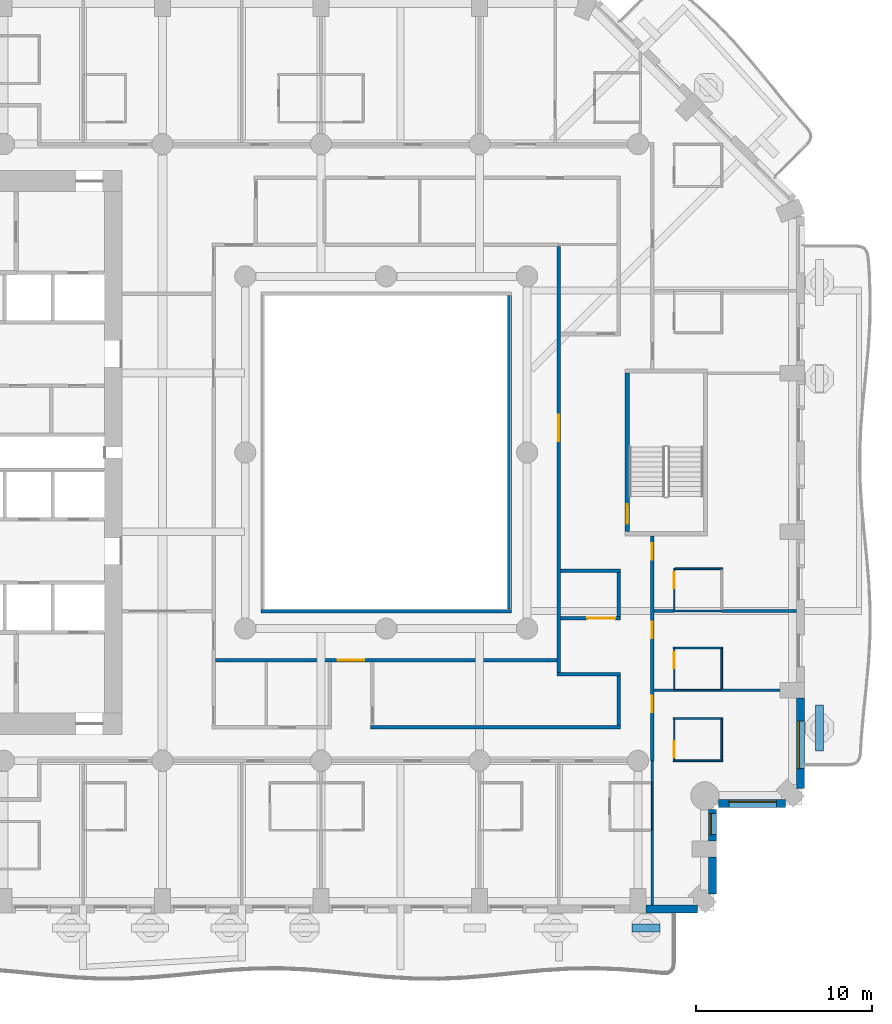
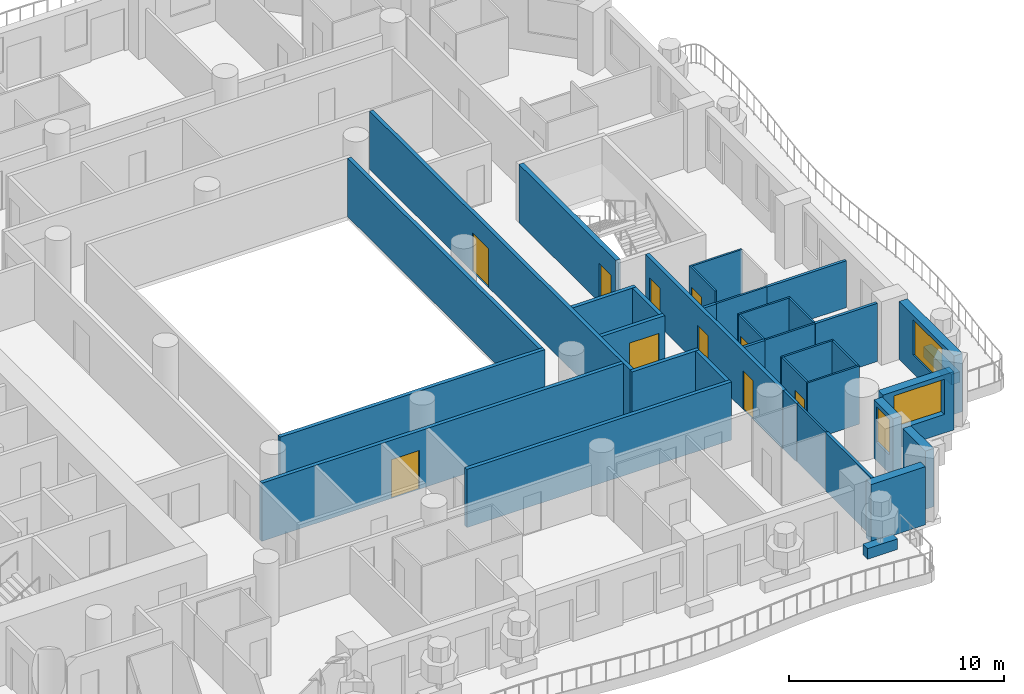
# One storey, part 6 of 20: 37 walls, 10 doors, 3 windows, 13 openings.
"""IFC4 building model written with IfcOpenShell, lengths in metres."""

import ifcopenshell
import ifcopenshell.guid

model = None  # the IFC model being written
_history = None  # IfcOwnerHistory: only IFC2X3 demands one
_inside = {}  # id of a spatial element -> (the spatial element, [elements in it])
_under = {}  # id of a project, library or spatial element -> (it, [spatial elements below it])
_declared = {}  # id of a project -> (the project, [libraries it declares])
_typed = {}  # id of a type object -> (the type object, [elements of that type])
_made_of = {}  # id of a material, layer set ... -> (it, [elements and type objects made of it])


def new_model(schema):
    """Start an empty IFC model of exactly this schema.

    Asked for "IFC4X3", IfcOpenShell would pick the latest addendum, in which some entities
    have other attributes; the version numbers below select the first issue.
    IFC2X3 requires an IfcOwnerHistory on every rooted entity: one is made here for all.
    """
    global model, _history
    if schema == "IFC4X3":
        model = ifcopenshell.file(schema_version=(4, 3, 0, 0))
    else:
        model = ifcopenshell.file(schema=schema)
    _inside.clear()
    _under.clear()
    _declared.clear()
    _typed.clear()
    _made_of.clear()
    _history = None
    if model.schema == "IFC2X3":
        org = make("IfcOrganization", Name="unknown")
        user = make(
            "IfcPersonAndOrganization",
            ThePerson=make("IfcPerson", FamilyName="unknown"),
            TheOrganization=org,
        )
        app = make(
            "IfcApplication",
            ApplicationDeveloper=org,
            Version="unknown",
            ApplicationFullName="unknown",
            ApplicationIdentifier="unknown",
        )
        _history = make(
            "IfcOwnerHistory",
            OwningUser=user,
            OwningApplication=app,
            ChangeAction="ADDED",
            CreationDate=0,
        )
    return model


def make(cls, **values):
    """One entity of the class cls with the attributes given. An attribute that is None is left unset."""
    return model.create_entity(
        cls, **{name: value for name, value in values.items() if value is not None}
    )


def rooted(cls, **values):
    """An entity with a GlobalId (a new one), such as an element, a storey or a relation."""
    return make(cls, GlobalId=ifcopenshell.guid.new(), OwnerHistory=_history, **values)


def si_unit(unit_type, name, prefix=None):
    """IfcSIUnit, for example si_unit("LENGTHUNIT", "METRE", prefix="MILLI")."""
    return make("IfcSIUnit", UnitType=unit_type, Prefix=prefix, Name=name)


def assignment(units):
    """IfcUnitAssignment: the units of a project."""
    return None if units is None else make("IfcUnitAssignment", Units=units)


def point(xyz):
    """IfcCartesianPoint."""
    return None if xyz is None else make("IfcCartesianPoint", Coordinates=xyz)


def direction(xyz):
    """IfcDirection."""
    return None if xyz is None else make("IfcDirection", DirectionRatios=xyz)


def frame(location, z_axis=None, x_axis=None):
    """IfcAxis2Placement3D, a coordinate frame: its origin and axes. An axis left out is left unset."""
    return make(
        "IfcAxis2Placement3D",
        Location=point(location),
        Axis=direction(z_axis),
        RefDirection=direction(x_axis),
    )


def frame_2d(location, x_axis=None):
    """IfcAxis2Placement2D, a coordinate frame in the plane: its origin and x axis."""
    return make(
        "IfcAxis2Placement2D", Location=point(location), RefDirection=direction(x_axis)
    )


def origin():
    """The frame at (0, 0, 0) with its axes left unset."""
    return frame((0.0, 0.0, 0.0))


def place(relative_to, where):
    """IfcLocalPlacement: puts the frame where relative to a parent placement (None: the world)."""
    return make(
        "IfcLocalPlacement", PlacementRelTo=relative_to, RelativePlacement=where
    )


def context(
    kind, dimensions, precision=None, world=None, true_north=None, identifier=None
):
    """IfcGeometricRepresentationContext, for example the 3D "Model" context."""
    return make(
        "IfcGeometricRepresentationContext",
        ContextIdentifier=identifier,
        ContextType=kind,
        CoordinateSpaceDimension=dimensions,
        Precision=precision,
        WorldCoordinateSystem=world,
        TrueNorth=true_north,
    )


def subcontext(parent, identifier, kind, view, scale=None):
    """IfcGeometricRepresentationSubContext, for example "Body" below "Model"."""
    return make(
        "IfcGeometricRepresentationSubContext",
        ContextIdentifier=identifier,
        ContextType=kind,
        ParentContext=parent,
        TargetScale=scale,
        TargetView=view,
    )


def project(units=None, contexts=None):
    """IfcProject with its units and contexts."""
    return rooted(
        "IfcProject",
        Name="project",
        RepresentationContexts=contexts,
        UnitsInContext=assignment(units),
    )


def spatial(cls, under=None, at=None, **own):
    """A site, building, storey or space (cls), placed at a placement, below another one or the project."""
    s = rooted(cls, ObjectPlacement=at, **own)
    if under is not None:
        _under.setdefault(under.id(), (under, []))[1].append(s)
    return s


def profile(cls, at=None, kind="AREA", **sizes):
    """A parametric profile (cls). Its sizes go by their IFC names, for example OverallWidth=200.0."""
    return make(cls, ProfileType=kind, Position=at, **sizes)


def rectangle(**sizes):
    """IfcRectangleProfileDef."""
    return profile("IfcRectangleProfileDef", **sizes)


def extrude(swept, where, along, depth):
    """IfcExtrudedAreaSolid: the profile swept, set in the frame where, extruded along a direction by depth."""
    return make(
        "IfcExtrudedAreaSolid",
        SweptArea=swept,
        Position=where,
        ExtrudedDirection=direction(along),
        Depth=depth,
    )


def shape(context_of_items, identifier, shape_type, items):
    """IfcShapeRepresentation: the items that make up one representation, for example the "Body"."""
    return make(
        "IfcShapeRepresentation",
        ContextOfItems=context_of_items,
        RepresentationIdentifier=identifier,
        RepresentationType=shape_type,
        Items=items,
    )


def material(Name=None, Category=None):
    """IfcMaterial."""
    return make("IfcMaterial", Name=Name, Category=Category)


def layer(
    of_material, thickness, ventilated=None, Name=None, Category=None, Priority=None
):
    """IfcMaterialLayer: one layer of a wall or slab, of a material (None: an air gap)."""
    return make(
        "IfcMaterialLayer",
        Material=of_material,
        LayerThickness=thickness,
        IsVentilated=ventilated,
        Name=Name,
        Category=Category,
        Priority=Priority,
    )


def layer_set(layers, Name=None):
    """IfcMaterialLayerSet."""
    return make("IfcMaterialLayerSet", MaterialLayers=layers, LayerSetName=Name)


def made_of(thing, what):
    """Note that an element or type object is made of a material, layer set ...; save() writes the relation."""
    if what is not None:
        _made_of.setdefault(what.id(), (what, []))[1].append(thing)
    return thing


def type_object(cls, material=None, **own):
    """A type object (cls), such as IfcWallType, which elements share."""
    return made_of(rooted(cls, **own), material)


def element(
    cls,
    number,
    at=None,
    inside=None,
    cuts=None,
    type_object=None,
    material=None,
    context=None,
    identifier="Body",
    shape_type=None,
    held_by="IfcProductDefinitionShape",
    body=None,
    shapes=None,
    **own,
):
    """One element of the class cls, such as IfcWall. Its Tag is "e" and its number.

    at: its placement. inside: the storey or other place that contains it. cuts: it is an
    opening in that element (IfcRelVoidsElement). A single representation is given by context,
    identifier, shape_type and body (its items); several are given by shapes. held_by: the class
    of the entity that holds the representations. save() writes the other relations.
    """
    e = rooted(cls, Tag="e%d" % number, ObjectPlacement=at, **own)
    if body is not None:
        shapes = [shape(context, identifier, shape_type, body)]
    if shapes is not None:
        e.Representation = make(held_by, Representations=shapes)
    if inside is not None:
        _inside.setdefault(inside.id(), (inside, []))[1].append(e)
    if cuts is not None:
        rooted(
            "IfcRelVoidsElement", RelatingBuildingElement=cuts, RelatedOpeningElement=e
        )
    if type_object is not None:
        _typed.setdefault(type_object.id(), (type_object, []))[1].append(e)
    return made_of(e, material)


def fill(opening, filler):
    """IfcRelFillsElement: the door or window that sits in an opening."""
    return rooted(
        "IfcRelFillsElement",
        RelatingOpeningElement=opening,
        RelatedBuildingElement=filler,
    )


def aggregate(whole, parts):
    """IfcRelAggregates: a whole, such as a stair, and the parts it consists of."""
    return rooted("IfcRelAggregates", RelatingObject=whole, RelatedObjects=parts)


def save(model, path):
    """Write the relations noted so far, then the file.

    IfcRelAggregates (storeys below a building ...), IfcRelContainedInSpatialStructure (elements
    in a storey), IfcRelDefinesByType, IfcRelAssociatesMaterial and IfcRelDeclares: one each for
    every whole, place, type object, material and project.
    """
    for whole, parts in _under.values():
        aggregate(whole, parts)
    for where, things in _inside.values():
        rooted(
            "IfcRelContainedInSpatialStructure",
            RelatedElements=things,
            RelatingStructure=where,
        )
    for kind, things in _typed.values():
        rooted("IfcRelDefinesByType", RelatedObjects=things, RelatingType=kind)
    for what, things in _made_of.values():
        rooted("IfcRelAssociatesMaterial", RelatedObjects=things, RelatingMaterial=what)
    for by, libraries in _declared.values():
        rooted("IfcRelDeclares", RelatingContext=by, RelatedDefinitions=libraries)
    model.write(path)


model = new_model("IFC4")

# Units and contexts
model_context = context("Model", 3, precision=1e-05, world=origin(), true_north=direction((0.0, 1.0)))
body_context = subcontext(model_context, "Body", "Model", "MODEL_VIEW")
ifc_project = project(units=[si_unit("LENGTHUNIT", "METRE"), si_unit("AREAUNIT", "SQUARE_METRE"), si_unit("VOLUMEUNIT", "CUBIC_METRE"), si_unit("PLANEANGLEUNIT", "RADIAN"), si_unit("MASSUNIT", "GRAM", prefix="KILO")], contexts=[model_context])

# Site, building, storey
site_placement = place(None, origin())
site = spatial("IfcSite", under=ifc_project, at=site_placement, CompositionType="ELEMENT")
building_placement = place(site_placement, origin())
building = spatial("IfcBuilding", under=site, at=building_placement, Name="Cypress Arch Tower", CompositionType="ELEMENT")
storey_placement = place(building_placement, frame((0.0, 0.0, 87.89990234375)))
storey = spatial("IfcBuildingStorey", under=building, at=storey_placement, Name="L16", CompositionType="ELEMENT", Elevation=87.89990234375)

# Walls
ifc_material_1 = material(Name="Concrete C40/50, waterproofed", Category="concrete")
ifc_layer_1 = layer(ifc_material_1, 0.449951171875)
ifc_layer_set_1 = layer_set([ifc_layer_1], Name="Balcony planter wall PW450")
wall_type_1 = type_object("IfcWallType", Name="Balcony planter wall PW450", PredefinedType="SOLIDWALL", material=ifc_layer_set_1)
wall_1_placement = place(storey_placement, frame((14.949951171875, -27.0, 0.0), z_axis=(0.0, 0.0, 1.0), x_axis=(1.0, 0.0, 0.0)))
element("IfcWall", 1, at=wall_1_placement, inside=storey, type_object=wall_type_1, Name="Balcony planter wall L16-A03.7", PredefinedType="SOLIDWALL", context=body_context, shape_type="SweptSolid", body=[
    extrude(rectangle(XDim=1.60009765625, YDim=0.449951171875, at=frame_2d((0.800048828125, 0.0))), origin(), (0.0, 0.0, 1.0), 0.60009765625),
])
wall_2_placement = place(storey_placement, frame((25.60009765625, -16.949951171875, 0.0), z_axis=(0.0, 0.0, 1.0), x_axis=(0.0, 1.0, 0.0)))
element("IfcWall", 2, at=wall_2_placement, inside=storey, type_object=wall_type_1, Name="Balcony planter wall L16-A06.1", PredefinedType="SOLIDWALL", context=body_context, shape_type="SweptSolid", body=[
    extrude(rectangle(XDim=2.6142578125, YDim=0.449951171875, at=frame_2d((1.30712890625, 0.0))), origin(), (0.0, 0.0, 1.0), 0.60009765625),
])
ifc_material_2 = material(Name="Brick (red buff blend)", Category="masonry")
ifc_layer_2 = layer(ifc_material_2, 0.449951171875)
ifc_layer_set_2 = layer_set([ifc_layer_2], Name="Brick pier and spandrel wall BW450")
wall_type_2 = type_object("IfcWallType", Name="Brick pier and spandrel wall BW450", PredefinedType="SOLIDWALL", material=ifc_layer_set_2)
wall_3_placement = place(storey_placement, frame((15.75, -25.925048828125, 0.0), z_axis=(0.0, 0.0, 1.0), x_axis=(1.0, 0.0, 0.0)))
element("IfcWall", 3, at=wall_3_placement, inside=storey, type_object=wall_type_2, Name="Brick wall L16 A03.5", PredefinedType="SOLIDWALL", context=body_context, shape_type="SweptSolid", body=[
    extrude(rectangle(XDim=2.91357421875, YDim=0.449951171875, at=frame_2d((1.456787109375, 0.0))), origin(), (0.0, 0.0, 1.0), 3.300048828125),
])
wall_4_placement = place(storey_placement, frame((19.52490234375, -25.063720703125, 0.0), z_axis=(0.0, 0.0, 1.0), x_axis=(0.0, 1.0, 0.0)))
element("IfcWall", 4, at=wall_4_placement, inside=storey, type_object=wall_type_2, Name="Brick wall L16 A04.0", PredefinedType="SOLIDWALL", context=body_context, shape_type="SweptSolid", body=[
    extrude(rectangle(XDim=2.11376953125, YDim=0.449951171875, at=frame_2d((1.056884765625, 0.0))), origin(), (0.0, 0.0, 1.0), 3.300048828125),
])

# Wall, opening, window
wall_5_placement = place(storey_placement, frame((19.52490234375, -22.050048828125, 0.0), z_axis=(0.0, 0.0, 1.0), x_axis=(0.0, 1.0, 0.0)))
wall_5 = element("IfcWall", 5, at=wall_5_placement, inside=storey, type_object=wall_type_2, Name="Brick wall L16 A04.1", PredefinedType="SOLIDWALL", context=body_context, shape_type="SweptSolid", body=[
    extrude(rectangle(XDim=1.79150390625, YDim=0.449951171875, at=frame_2d((0.895751953125, 0.0))), origin(), (0.0, 0.0, 1.0), 3.300048828125),
])
opening_1_placement = place(wall_5_placement, frame((0.35009765625, 0.0, 1.050048828125)))
opening_1 = element("IfcOpeningElement", 6, at=opening_1_placement, cuts=wall_5, Name="Opening W120H", PredefinedType="OPENING", context=body_context, shape_type="SweptSolid", body=[
    extrude(rectangle(XDim=1.199951171875, YDim=2.0, at=frame_2d((0.60009765625, 1.0))), frame((0.0, 0.23486328125, 0.0), z_axis=(0.0, -1.0, 0.0), x_axis=(1.0, 0.0, 0.0)), (0.0, 0.0, 1.0), 0.469970703125),
])
ifc_material_3 = material(Name="Anodised aluminium, bronze finish, clear low-emissivity double glazing", Category="aluminium")
window_type_1 = type_object("IfcWindowType", Name="Window Hotel 1200x2000", PartitioningType="SINGLE_PANEL", PredefinedType="WINDOW", material=ifc_material_3)
window_1_placement = place(opening_1_placement, origin())
window_1 = element("IfcWindow", 7, at=window_1_placement, inside=storey, type_object=window_type_1, Name="Window L16 A04.1.1", OverallHeight=2.0, OverallWidth=1.199951171875, PartitioningType="SINGLE_PANEL", PredefinedType="WINDOW", context=body_context, shape_type="SweptSolid", body=[
    extrude(rectangle(XDim=1.199951171875, YDim=2.0, at=frame_2d((0.60009765625, 1.0))), frame((0.0, 0.135009765625, 0.0), z_axis=(0.0, -1.0, 0.0), x_axis=(1.0, 0.0, 0.0)), (0.0, 0.0, 1.0), 0.06005859375),
])
fill(opening_1, window_1)

wall_6_placement = place(storey_placement, frame((19.8583984375, -19.925048828125, 0.0), z_axis=(0.0, 0.0, 1.0), x_axis=(1.0, 0.0, 0.0)))
wall_6 = element("IfcWall", 8, at=wall_6_placement, inside=storey, type_object=wall_type_2, Name="Brick wall L16 A05.0", PredefinedType="SOLIDWALL", context=body_context, shape_type="SweptSolid", body=[
    extrude(rectangle(XDim=3.80517578125, YDim=0.449951171875, at=frame_2d((1.902587890625, 0.0))), origin(), (0.0, 0.0, 1.0), 3.300048828125),
])
opening_2_placement = place(wall_6_placement, frame((0.591552734375, 0.0, 1.050048828125)))
opening_2 = element("IfcOpeningElement", 9, at=opening_2_placement, cuts=wall_6, Name="Opening W270H", PredefinedType="OPENING", context=body_context, shape_type="SweptSolid", body=[
    extrude(rectangle(XDim=2.699951171875, YDim=2.0, at=frame_2d((1.35009765625, 1.0))), frame((0.0, 0.23486328125, 0.0), z_axis=(0.0, -1.0, 0.0), x_axis=(1.0, 0.0, 0.0)), (0.0, 0.0, 1.0), 0.469970703125),
])
ifc_material_4 = material(Name="Anodised aluminium, bronze finish, clear low-emissivity double glazing", Category="aluminium")
window_type_2 = type_object("IfcWindowType", Name="Window Hotel 2700x2000", PartitioningType="SINGLE_PANEL", PredefinedType="WINDOW", material=ifc_material_4)
window_2_placement = place(opening_2_placement, origin())
window_2 = element("IfcWindow", 10, at=window_2_placement, inside=storey, type_object=window_type_2, Name="Window L16 A05.0.1", OverallHeight=2.0, OverallWidth=2.699951171875, PartitioningType="SINGLE_PANEL", PredefinedType="WINDOW", context=body_context, shape_type="SweptSolid", body=[
    extrude(rectangle(XDim=2.699951171875, YDim=2.0, at=frame_2d((1.35009765625, 1.0))), frame((0.0, 0.135009765625, 0.0), z_axis=(0.0, -1.0, 0.0), x_axis=(1.0, 0.0, 0.0)), (0.0, 0.0, 1.0), 0.06005859375),
])
fill(opening_2, window_2)

wall_7_placement = place(storey_placement, frame((24.52490234375, -19.063720703125, 0.0), z_axis=(0.0, 0.0, 1.0), x_axis=(0.0, 1.0, 0.0)))
wall_7 = element("IfcWall", 11, at=wall_7_placement, inside=storey, type_object=wall_type_2, Name="Brick wall L16 A06.0", PredefinedType="SOLIDWALL", context=body_context, shape_type="SweptSolid", body=[
    extrude(rectangle(XDim=5.11376953125, YDim=0.449951171875, at=frame_2d((2.556884765625, 0.0))), origin(), (0.0, 0.0, 1.0), 3.300048828125),
])
opening_3_placement = place(wall_7_placement, frame((1.113525390625, 0.0, 1.050048828125)))
opening_3 = element("IfcOpeningElement", 12, at=opening_3_placement, cuts=wall_7, Name="Opening W270HD", PredefinedType="OPENING", context=body_context, shape_type="SweptSolid", body=[
    extrude(rectangle(XDim=2.699951171875, YDim=2.0, at=frame_2d((1.35009765625, 1.0))), frame((0.0, 0.23486328125, 0.0), z_axis=(0.0, -1.0, 0.0), x_axis=(1.0, 0.0, 0.0)), (0.0, 0.0, 1.0), 0.469970703125),
])
ifc_material_5 = material(Name="Anodised aluminium, bronze finish, laminated low-emissivity double glazing, large-missile impact rated", Category="aluminium")
window_type_3 = type_object("IfcWindowType", Name="Window Hotel 2700x2000 debris-rated", PartitioningType="SINGLE_PANEL", PredefinedType="WINDOW", material=ifc_material_5)
window_3_placement = place(opening_3_placement, origin())
window_3 = element("IfcWindow", 13, at=window_3_placement, inside=storey, type_object=window_type_3, Name="Window L16 A06.0.1", OverallHeight=2.0, OverallWidth=2.699951171875, PartitioningType="SINGLE_PANEL", PredefinedType="WINDOW", context=body_context, shape_type="SweptSolid", body=[
    extrude(rectangle(XDim=2.699951171875, YDim=2.0, at=frame_2d((1.35009765625, 1.0))), frame((0.0, 0.135009765625, 0.0), z_axis=(0.0, -1.0, 0.0), x_axis=(1.0, 0.0, 0.0)), (0.0, 0.0, 1.0), 0.06005859375),
])
fill(opening_3, window_3)

# Wall, opening, door
ifc_material_6 = material(Name="Concrete blockwork, plastered, rated", Category="masonry")
ifc_layer_3 = layer(ifc_material_6, 0.199951171875)
ifc_layer_set_3 = layer_set([ifc_layer_3], Name="Corridor wall FW200")
wall_type_3 = type_object("IfcWallType", Name="Corridor wall FW200", PredefinedType="PARTITIONING", material=ifc_layer_set_3)
wall_8_placement = place(storey_placement, frame((-8.699951171875, -11.800048828125, 0.0), z_axis=(0.0, 0.0, 1.0), x_axis=(1.0, 0.0, 0.0)))
wall_8 = element("IfcWall", 14, at=wall_8_placement, inside=storey, type_object=wall_type_3, Name="Corridor wall", PredefinedType="PARTITIONING", context=body_context, shape_type="SweptSolid", body=[
    extrude(rectangle(XDim=19.39990234375, YDim=0.199951171875, at=frame_2d((9.699951171875, 0.0))), origin(), (0.0, 0.0, 1.0), 3.300048828125),
])
opening_4_placement = place(wall_8_placement, frame((6.949951171875, 0.0, 0.0)))
opening_4 = element("IfcOpeningElement", 15, at=opening_4_placement, cuts=wall_8, Name="Opening D04", PredefinedType="OPENING", context=body_context, shape_type="SweptSolid", body=[
    extrude(rectangle(XDim=1.5, YDim=2.199951171875, at=frame_2d((0.75, 1.10009765625))), frame((0.0, 0.10986328125, 0.0), z_axis=(0.0, -1.0, 0.0), x_axis=(1.0, 0.0, 0.0)), (0.0, 0.0, 1.0), 0.219970703125),
])
ifc_material_7 = material(Name="Timber double door", Category="wood")
door_type_1 = type_object("IfcDoorType", Name="Double door D04 1500x2200", OperationType="DOUBLE_DOOR_SINGLE_SWING", PredefinedType="DOOR", material=ifc_material_7)
door_1_placement = place(opening_4_placement, origin())
door_1 = element("IfcDoor", 16, at=door_1_placement, inside=storey, type_object=door_type_1, Name="Double door", OperationType="DOUBLE_DOOR_SINGLE_SWING", OverallHeight=2.199951171875, OverallWidth=1.5, PredefinedType="DOOR", context=body_context, shape_type="SweptSolid", body=[
    extrude(rectangle(XDim=1.5, YDim=2.199951171875, at=frame_2d((0.75, 1.10009765625))), frame((0.0, 0.02490234375, 0.0), z_axis=(0.0, -1.0, 0.0), x_axis=(1.0, 0.0, 0.0)), (0.0, 0.0, 1.0), 0.050048828125),
])
fill(opening_4, door_1)

# Walls
wall_9_placement = place(storey_placement, frame((-6.10009765625, -9.0, 0.0), z_axis=(0.0, 0.0, 1.0), x_axis=(1.0, 0.0, 0.0)))
element("IfcWall", 17, at=wall_9_placement, inside=storey, type_object=wall_type_3, Name="Corridor wall", PredefinedType="PARTITIONING", context=body_context, shape_type="SweptSolid", body=[
    extrude(rectangle(XDim=14.2001953125, YDim=0.199951171875, at=frame_2d((7.10009765625, 0.0))), origin(), (0.0, 0.0, 1.0), 3.300048828125),
])
wall_10_placement = place(storey_placement, frame((0.10009765625, -15.60009765625, 0.0), z_axis=(0.0, 0.0, 1.0), x_axis=(1.0, 0.0, 0.0)))
element("IfcWall", 18, at=wall_10_placement, inside=storey, type_object=wall_type_3, Name="Corridor wall", PredefinedType="PARTITIONING", context=body_context, shape_type="SweptSolid", body=[
    extrude(rectangle(XDim=14.199951171875, YDim=0.199951171875, at=frame_2d((7.10009765625, 0.0))), origin(), (0.0, 0.0, 1.0), 3.300048828125),
])
wall_11_placement = place(storey_placement, frame((8.0, -8.89990234375, 0.0), z_axis=(0.0, 0.0, 1.0), x_axis=(0.0, 1.0, 0.0)))
element("IfcWall", 19, at=wall_11_placement, inside=storey, type_object=wall_type_3, Name="Corridor wall", PredefinedType="PARTITIONING", context=body_context, shape_type="SweptSolid", body=[
    extrude(rectangle(XDim=17.7998046875, YDim=0.199951171875, at=frame_2d((8.89990234375, 0.0))), origin(), (0.0, 0.0, 1.0), 3.300048828125),
])

# Wall, opening, door
wall_12_placement = place(storey_placement, frame((10.799072265625, -12.5, 0.0), z_axis=(0.0, 0.0, 1.0), x_axis=(0.0, 1.0, 0.0)))
wall_12 = element("IfcWall", 20, at=wall_12_placement, inside=storey, type_object=wall_type_3, Name="Corridor wall", PredefinedType="PARTITIONING", context=body_context, shape_type="SweptSolid", body=[
    extrude(rectangle(XDim=24.199951171875, YDim=0.199951171875, at=frame_2d((12.10009765625, 0.0))), origin(), (0.0, 0.0, 1.0), 3.300048828125),
])
opening_5_placement = place(wall_12_placement, frame((13.14990234375, 0.0, 0.0)))
opening_5 = element("IfcOpeningElement", 21, at=opening_5_placement, cuts=wall_12, Name="Opening D04", PredefinedType="OPENING", context=body_context, shape_type="SweptSolid", body=[
    extrude(rectangle(XDim=1.5, YDim=2.199951171875, at=frame_2d((0.75, 1.10009765625))), frame((0.0, 0.10986328125, 0.0), z_axis=(0.0, -1.0, 0.0), x_axis=(1.0, 0.0, 0.0)), (0.0, 0.0, 1.0), 0.219970703125),
])
door_2_placement = place(opening_5_placement, origin())
door_2 = element("IfcDoor", 22, at=door_2_placement, inside=storey, type_object=door_type_1, Name="Double door", OperationType="DOUBLE_DOOR_SINGLE_SWING", OverallHeight=2.199951171875, OverallWidth=1.5, PredefinedType="DOOR", context=body_context, shape_type="SweptSolid", body=[
    extrude(rectangle(XDim=1.5, YDim=2.199951171875, at=frame_2d((0.75, 1.10009765625))), frame((0.0, 0.02490234375, 0.0), z_axis=(0.0, -1.0, 0.0), x_axis=(1.0, 0.0, 0.0)), (0.0, 0.0, 1.0), 0.050048828125),
])
fill(opening_5, door_2)

# Wall
wall_13_placement = place(storey_placement, frame((10.698974609375, -12.60009765625, 0.0), z_axis=(0.0, 0.0, 1.0), x_axis=(1.0, 0.0, 0.0)))
element("IfcWall", 23, at=wall_13_placement, inside=storey, type_object=wall_type_3, Name="Corridor wall", PredefinedType="PARTITIONING", context=body_context, shape_type="SweptSolid", body=[
    extrude(rectangle(XDim=3.60107421875, YDim=0.199951171875, at=frame_2d((1.800537109375, 0.0))), origin(), (0.0, 0.0, 1.0), 3.300048828125),
])

# Wall, opening, door
wall_14_placement = place(storey_placement, frame((10.89990234375, -9.39990234375, 0.0), z_axis=(0.0, 0.0, 1.0), x_axis=(1.0, 0.0, 0.0)))
wall_14 = element("IfcWall", 24, at=wall_14_placement, inside=storey, type_object=wall_type_3, Name="Corridor wall", PredefinedType="PARTITIONING", context=body_context, shape_type="SweptSolid", body=[
    extrude(rectangle(XDim=3.400146484375, YDim=0.199951171875, at=frame_2d((1.7001953125, 0.0))), origin(), (0.0, 0.0, 1.0), 3.300048828125),
])
opening_6_placement = place(wall_14_placement, frame((1.5, 0.0, 0.0)))
opening_6 = element("IfcOpeningElement", 25, at=opening_6_placement, cuts=wall_14, Name="Opening D10", PredefinedType="OPENING", context=body_context, shape_type="SweptSolid", body=[
    extrude(rectangle(XDim=1.60009765625, YDim=2.39990234375, at=frame_2d((0.800048828125, 1.199951171875))), frame((0.0, 0.10986328125, 0.0), z_axis=(0.0, -1.0, 0.0), x_axis=(1.0, 0.0, 0.0)), (0.0, 0.0, 1.0), 0.219970703125),
])
ifc_material_8 = material(Name="Black aluminium glazed door", Category="aluminium")
door_type_2 = type_object("IfcDoorType", Name="Amenity door D10 1600x2400", OperationType="DOUBLE_DOOR_SINGLE_SWING", PredefinedType="DOOR", material=ifc_material_8)
door_3_placement = place(opening_6_placement, origin())
door_3 = element("IfcDoor", 26, at=door_3_placement, inside=storey, type_object=door_type_2, Name="Amenity door", OperationType="DOUBLE_DOOR_SINGLE_SWING", OverallHeight=2.39990234375, OverallWidth=1.60009765625, PredefinedType="DOOR", context=body_context, shape_type="SweptSolid", body=[
    extrude(rectangle(XDim=1.60009765625, YDim=2.39990234375, at=frame_2d((0.800048828125, 1.199951171875))), frame((0.0, 0.02490234375, 0.0), z_axis=(0.0, -1.0, 0.0), x_axis=(1.0, 0.0, 0.0)), (0.0, 0.0, 1.0), 0.050048828125),
])
fill(opening_6, door_3)

# Walls
wall_15_placement = place(storey_placement, frame((10.89990234375, -6.72509765625, 0.0), z_axis=(0.0, 0.0, 1.0), x_axis=(1.0, 0.0, 0.0)))
element("IfcWall", 27, at=wall_15_placement, inside=storey, type_object=wall_type_3, Name="Corridor wall", PredefinedType="PARTITIONING", context=body_context, shape_type="SweptSolid", body=[
    extrude(rectangle(XDim=3.400146484375, YDim=0.199951171875, at=frame_2d((1.7001953125, 0.0))), origin(), (0.0, 0.0, 1.0), 3.300048828125),
])
wall_16_placement = place(storey_placement, frame((14.199951171875, -15.5, 0.0), z_axis=(0.0, 0.0, 1.0), x_axis=(0.0, 1.0, 0.0)))
element("IfcWall", 28, at=wall_16_placement, inside=storey, type_object=wall_type_3, Name="Corridor wall", PredefinedType="PARTITIONING", context=body_context, shape_type="SweptSolid", body=[
    extrude(rectangle(XDim=2.800048828125, YDim=0.199951171875, at=frame_2d((1.39990234375, 0.0))), origin(), (0.0, 0.0, 1.0), 3.300048828125),
])
wall_17_placement = place(storey_placement, frame((14.199951171875, -9.300048828125, 0.0), z_axis=(0.0, 0.0, 1.0), x_axis=(0.0, 1.0, 0.0)))
element("IfcWall", 29, at=wall_17_placement, inside=storey, type_object=wall_type_3, Name="Corridor wall", PredefinedType="PARTITIONING", context=body_context, shape_type="SweptSolid", body=[
    extrude(rectangle(XDim=2.47509765625, YDim=0.199951171875, at=frame_2d((1.237548828125, 0.0))), origin(), (0.0, 0.0, 1.0), 3.300048828125),
])

# Wall, openings, doors
wall_18_placement = place(storey_placement, frame((16.10009765625, -17.5, 0.0), z_axis=(0.0, 0.0, 1.0), x_axis=(0.0, 1.0, 0.0)))
wall_18 = element("IfcWall", 30, at=wall_18_placement, inside=storey, type_object=wall_type_3, Name="Corridor wall", PredefinedType="PARTITIONING", context=body_context, shape_type="SweptSolid", body=[
    extrude(rectangle(XDim=12.75, YDim=0.199951171875, at=frame_2d((6.375, 0.0))), origin(), (0.0, 0.0, 1.0), 3.300048828125),
])
opening_7_placement = place(wall_18_placement, frame((2.75, 0.0, 0.0)))
opening_7 = element("IfcOpeningElement", 31, at=opening_7_placement, cuts=wall_18, Name="Opening D02", PredefinedType="OPENING", context=body_context, shape_type="SweptSolid", body=[
    extrude(rectangle(XDim=0.949951171875, YDim=2.199951171875, at=frame_2d((0.47509765625, 1.10009765625))), frame((0.0, 0.10986328125, 0.0), z_axis=(0.0, -1.0, 0.0), x_axis=(1.0, 0.0, 0.0)), (0.0, 0.0, 1.0), 0.219970703125),
])
opening_8_placement = place(wall_18_placement, frame((6.949951171875, 0.0, 0.0)))
opening_8 = element("IfcOpeningElement", 32, at=opening_8_placement, cuts=wall_18, Name="Opening D02", PredefinedType="OPENING", context=body_context, shape_type="SweptSolid", body=[
    extrude(rectangle(XDim=0.949951171875, YDim=2.199951171875, at=frame_2d((0.47509765625, 1.10009765625))), frame((0.0, 0.10986328125, 0.0), z_axis=(0.0, -1.0, 0.0), x_axis=(1.0, 0.0, 0.0)), (0.0, 0.0, 1.0), 0.219970703125),
])
opening_9_placement = place(wall_18_placement, frame((11.39990234375, 0.0, 0.0)))
opening_9 = element("IfcOpeningElement", 33, at=opening_9_placement, cuts=wall_18, Name="Opening D02", PredefinedType="OPENING", context=body_context, shape_type="SweptSolid", body=[
    extrude(rectangle(XDim=0.949951171875, YDim=2.199951171875, at=frame_2d((0.47509765625, 1.10009765625))), frame((0.0, 0.10986328125, 0.0), z_axis=(0.0, -1.0, 0.0), x_axis=(1.0, 0.0, 0.0)), (0.0, 0.0, 1.0), 0.219970703125),
])
ifc_material_9 = material(Name="Timber flush door, fire resisting", Category="wood")
door_type_3 = type_object("IfcDoorType", Name="Room door D02 950x2200", OperationType="SINGLE_SWING_LEFT", PredefinedType="DOOR", material=ifc_material_9)
door_4_placement = place(opening_7_placement, origin())
door_4 = element("IfcDoor", 34, at=door_4_placement, inside=storey, type_object=door_type_3, Name="Room door", OperationType="SINGLE_SWING_LEFT", OverallHeight=2.199951171875, OverallWidth=0.949951171875, PredefinedType="DOOR", context=body_context, shape_type="SweptSolid", body=[
    extrude(rectangle(XDim=0.949951171875, YDim=2.199951171875, at=frame_2d((0.47509765625, 1.10009765625))), frame((0.0, 0.02490234375, 0.0), z_axis=(0.0, -1.0, 0.0), x_axis=(1.0, 0.0, 0.0)), (0.0, 0.0, 1.0), 0.050048828125),
])
fill(opening_7, door_4)
door_5_placement = place(opening_8_placement, origin())
door_5 = element("IfcDoor", 35, at=door_5_placement, inside=storey, type_object=door_type_3, Name="Room door", OperationType="SINGLE_SWING_LEFT", OverallHeight=2.199951171875, OverallWidth=0.949951171875, PredefinedType="DOOR", context=body_context, shape_type="SweptSolid", body=[
    extrude(rectangle(XDim=0.949951171875, YDim=2.199951171875, at=frame_2d((0.47509765625, 1.10009765625))), frame((0.0, 0.02490234375, 0.0), z_axis=(0.0, -1.0, 0.0), x_axis=(1.0, 0.0, 0.0)), (0.0, 0.0, 1.0), 0.050048828125),
])
fill(opening_8, door_5)
door_6_placement = place(opening_9_placement, origin())
door_6 = element("IfcDoor", 36, at=door_6_placement, inside=storey, type_object=door_type_3, Name="Room door", OperationType="SINGLE_SWING_LEFT", OverallHeight=2.199951171875, OverallWidth=0.949951171875, PredefinedType="DOOR", context=body_context, shape_type="SweptSolid", body=[
    extrude(rectangle(XDim=0.949951171875, YDim=2.199951171875, at=frame_2d((0.47509765625, 1.10009765625))), frame((0.0, 0.02490234375, 0.0), z_axis=(0.0, -1.0, 0.0), x_axis=(1.0, 0.0, 0.0)), (0.0, 0.0, 1.0), 0.050048828125),
])
fill(opening_9, door_6)

# Walls
ifc_material_10 = material(Name="Blockwork, plastered both sides", Category="masonry")
ifc_layer_4 = layer(ifc_material_10, 0.14990234375)
ifc_layer_set_4 = layer_set([ifc_layer_4], Name="Partition PW150")
wall_type_4 = type_object("IfcWallType", Name="Partition PW150", PredefinedType="PARTITIONING", material=ifc_layer_set_4)
wall_19_placement = place(storey_placement, frame((16.10009765625, -25.699951171875, 0.0), z_axis=(0.0, 0.0, 1.0), x_axis=(0.0, 1.0, 0.0)))
element("IfcWall", 37, at=wall_19_placement, inside=storey, type_object=wall_type_4, Name="Partition", PredefinedType="PARTITIONING", context=body_context, shape_type="SweptSolid", body=[
    extrude(rectangle(XDim=4.27001953125, YDim=0.14990234375, at=frame_2d((2.135009765625, 0.0))), origin(), (0.0, 0.0, 1.0), 3.300048828125),
])
wall_20_placement = place(storey_placement, frame((16.10009765625, -18.72998046875, 0.0), z_axis=(0.0, 0.0, 1.0), x_axis=(0.0, 1.0, 0.0)))
element("IfcWall", 38, at=wall_20_placement, inside=storey, type_object=wall_type_4, Name="Partition", PredefinedType="PARTITIONING", context=body_context, shape_type="SweptSolid", body=[
    extrude(rectangle(XDim=1.22998046875, YDim=0.14990234375, at=frame_2d((0.614990234375, 0.0))), origin(), (0.0, 0.0, 1.0), 3.300048828125),
])
wall_21_placement = place(storey_placement, frame((16.199951171875, -13.5, 0.0), z_axis=(0.0, 0.0, 1.0), x_axis=(1.0, 0.0, 0.0)))
element("IfcWall", 39, at=wall_21_placement, inside=storey, type_object=wall_type_4, Name="Partition", PredefinedType="PARTITIONING", context=body_context, shape_type="SweptSolid", body=[
    extrude(rectangle(XDim=1.130126953125, YDim=0.14990234375, at=frame_2d((0.56494140625, 0.0))), origin(), (0.0, 0.0, 1.0), 3.300048828125),
])
wall_22_placement = place(storey_placement, frame((16.199951171875, -9.0, 0.0), z_axis=(0.0, 0.0, 1.0), x_axis=(1.0, 0.0, 0.0)))
element("IfcWall", 40, at=wall_22_placement, inside=storey, type_object=wall_type_4, Name="Partition", PredefinedType="PARTITIONING", context=body_context, shape_type="SweptSolid", body=[
    extrude(rectangle(XDim=1.130126953125, YDim=0.14990234375, at=frame_2d((0.56494140625, 0.0))), origin(), (0.0, 0.0, 1.0), 2.650146484375),
])
wall_23_placement = place(storey_placement, frame((20.030029296875, -13.5, 0.0), z_axis=(0.0, 0.0, 1.0), x_axis=(1.0, 0.0, 0.0)))
element("IfcWall", 41, at=wall_23_placement, inside=storey, type_object=wall_type_4, Name="Partition", PredefinedType="PARTITIONING", context=body_context, shape_type="SweptSolid", body=[
    extrude(rectangle(XDim=3.320068359375, YDim=0.14990234375, at=frame_2d((1.66015625, 0.0))), origin(), (0.0, 0.0, 1.0), 3.300048828125),
])
wall_24_placement = place(storey_placement, frame((20.030029296875, -9.0, 0.0), z_axis=(0.0, 0.0, 1.0), x_axis=(1.0, 0.0, 0.0)))
element("IfcWall", 42, at=wall_24_placement, inside=storey, type_object=wall_type_4, Name="Partition", PredefinedType="PARTITIONING", context=body_context, shape_type="SweptSolid", body=[
    extrude(rectangle(XDim=4.27001953125, YDim=0.14990234375, at=frame_2d((2.135009765625, 0.0))), origin(), (0.0, 0.0, 1.0), 2.650146484375),
])

# Wall, opening, door
ifc_material_11 = material(Name="Concrete C50/60", Category="concrete")
ifc_layer_5 = layer(ifc_material_11, 0.25)
ifc_layer_set_5 = layer_set([ifc_layer_5], Name="Stair enclosure wall SW250")
wall_type_5 = type_object("IfcWallType", Name="Stair enclosure wall SW250", PredefinedType="SHEAR", material=ifc_layer_set_5)
wall_25_placement = place(storey_placement, frame((14.675048828125, -4.5, 0.0), z_axis=(0.0, 0.0, 1.0), x_axis=(0.0, 1.0, 0.0)))
wall_25 = element("IfcWall", 43, at=wall_25_placement, inside=storey, type_object=wall_type_5, Name="Stair enclosure wall", PredefinedType="SHEAR", context=body_context, shape_type="SweptSolid", body=[
    extrude(rectangle(XDim=9.0, YDim=0.25, at=frame_2d((4.5, 0.0))), origin(), (0.0, 0.0, 1.0), 3.300048828125),
])
opening_10_placement = place(wall_25_placement, frame((0.449951171875, 0.0, 0.0)))
opening_10 = element("IfcOpeningElement", 44, at=opening_10_placement, cuts=wall_25, Name="Opening D06", PredefinedType="OPENING", context=body_context, shape_type="SweptSolid", body=[
    extrude(rectangle(XDim=1.10009765625, YDim=2.199951171875, at=frame_2d((0.550048828125, 1.10009765625))), frame((0.0, 0.135009765625, 0.0), z_axis=(0.0, -1.0, 0.0), x_axis=(1.0, 0.0, 0.0)), (0.0, 0.0, 1.0), 0.27001953125),
])
ifc_material_12 = material(Name="Steel door, fire resisting, panic bar", Category="steel")
door_type_4 = type_object("IfcDoorType", Name="Stair door D06 1100x2200", OperationType="SINGLE_SWING_LEFT", PredefinedType="DOOR", material=ifc_material_12)
door_7_placement = place(opening_10_placement, origin())
door_7 = element("IfcDoor", 45, at=door_7_placement, inside=storey, type_object=door_type_4, Name="Stair door", OperationType="SINGLE_SWING_RIGHT", OverallHeight=2.199951171875, OverallWidth=1.10009765625, PredefinedType="DOOR", context=body_context, shape_type="SweptSolid", body=[
    extrude(rectangle(XDim=1.10009765625, YDim=2.199951171875, at=frame_2d((0.550048828125, 1.10009765625))), frame((0.0, 0.02490234375, 0.0), z_axis=(0.0, -1.0, 0.0), x_axis=(1.0, 0.0, 0.0)), (0.0, 0.0, 1.0), 0.050048828125),
])
fill(opening_10, door_7)

# Walls
ifc_material_13 = material(Name="Moisture resistant board on steel studs, tiled", Category="steel")
ifc_layer_6 = layer(ifc_material_13, 0.10009765625)
ifc_layer_set_6 = layer_set([ifc_layer_6], Name="Wet wall PW100")
wall_type_6 = type_object("IfcWallType", Name="Wet wall PW100", PredefinedType="PARTITIONING", material=ifc_layer_set_6)
for number, where, z_axis, x_axis, name in (
    (46, (16.10009765625, -21.429931640625, 0.0), (0.0, 0.0, 1.0), (0.0, 1.0, 0.0), "Wet wall"),
    (47, (17.330078125, -13.5, 0.0), (0.0, 0.0, 1.0), (1.0, 0.0, 0.0), "Wet wall"),
):
    element("IfcWall", number, at=place(storey_placement, frame(where, z_axis=z_axis, x_axis=x_axis)), inside=storey, type_object=wall_type_6, Name=name, PredefinedType="PARTITIONING", context=body_context, shape_type="SweptSolid", body=[
        extrude(rectangle(XDim=2.699951171875, YDim=0.10009765625, at=frame_2d((1.35009765625, 0.0))), origin(), (0.0, 0.0, 1.0), 3.300048828125),
    ])
wall_26_placement = place(storey_placement, frame((17.330078125, -9.0, 0.0), z_axis=(0.0, 0.0, 1.0), x_axis=(1.0, 0.0, 0.0)))
element("IfcWall", 48, at=wall_26_placement, inside=storey, type_object=wall_type_6, Name="Wet wall", PredefinedType="PARTITIONING", context=body_context, shape_type="SweptSolid", body=[
    extrude(rectangle(XDim=2.699951171875, YDim=0.10009765625, at=frame_2d((1.35009765625, 0.0))), origin(), (0.0, 0.0, 1.0), 2.650146484375),
])

# Wall, opening, door
wall_27_placement = place(storey_placement, frame((17.35009765625, -17.449951171875, 0.0), z_axis=(0.0, 0.0, 1.0), x_axis=(0.0, 1.0, 0.0)))
wall_27 = element("IfcWall", 49, at=wall_27_placement, inside=storey, type_object=wall_type_6, Name="Wet wall", PredefinedType="PARTITIONING", context=body_context, shape_type="SweptSolid", body=[
    extrude(rectangle(XDim=2.300048828125, YDim=0.10009765625, at=frame_2d((1.14990234375, 0.0))), origin(), (0.0, 0.0, 1.0), 3.300048828125),
])
opening_11_placement = place(wall_27_placement, frame((0.14990234375, 0.0, 0.0)))
opening_11 = element("IfcOpeningElement", 50, at=opening_11_placement, cuts=wall_27, Name="Opening D03", PredefinedType="OPENING", context=body_context, shape_type="SweptSolid", body=[
    extrude(rectangle(XDim=0.89990234375, YDim=2.199951171875, at=frame_2d((0.449951171875, 1.10009765625))), frame((0.0, 0.06005859375, 0.0), z_axis=(0.0, -1.0, 0.0), x_axis=(1.0, 0.0, 0.0)), (0.0, 0.0, 1.0), 0.1201171875),
])
ifc_material_14 = material(Name="Timber flush door, moisture resistant", Category="wood")
door_type_5 = type_object("IfcDoorType", Name="Bathroom door D03 900x2200", OperationType="SINGLE_SWING_LEFT", PredefinedType="DOOR", material=ifc_material_14)
door_8_placement = place(opening_11_placement, origin())
door_8 = element("IfcDoor", 51, at=door_8_placement, inside=storey, type_object=door_type_5, Name="Bathroom door", OperationType="SINGLE_SWING_RIGHT", OverallHeight=2.199951171875, OverallWidth=0.89990234375, PredefinedType="DOOR", context=body_context, shape_type="SweptSolid", body=[
    extrude(rectangle(XDim=0.89990234375, YDim=2.199951171875, at=frame_2d((0.449951171875, 1.10009765625))), frame((0.0, 0.02490234375, 0.0), z_axis=(0.0, -1.0, 0.0), x_axis=(1.0, 0.0, 0.0)), (0.0, 0.0, 1.0), 0.050048828125),
])
fill(opening_11, door_8)

# Walls
for number, where, z_axis, x_axis, name in (
    (52, (17.300048828125, -17.5, 0.0), (0.0, 0.0, 1.0), (1.0, 0.0, 0.0), "Wet wall"),
    (53, (17.300048828125, -15.10009765625, 0.0), (0.0, 0.0, 1.0), (1.0, 0.0, 0.0), "Wet wall"),
):
    element("IfcWall", number, at=place(storey_placement, frame(where, z_axis=z_axis, x_axis=x_axis)), inside=storey, type_object=wall_type_6, Name=name, PredefinedType="PARTITIONING", context=body_context, shape_type="SweptSolid", body=[
        extrude(rectangle(XDim=2.800048828125, YDim=0.10009765625, at=frame_2d((1.39990234375, 0.0))), origin(), (0.0, 0.0, 1.0), 3.300048828125),
    ])

# Wall, opening, door
wall_28_placement = place(storey_placement, frame((17.35009765625, -13.449951171875, 0.0), z_axis=(0.0, 0.0, 1.0), x_axis=(0.0, 1.0, 0.0)))
wall_28 = element("IfcWall", 54, at=wall_28_placement, inside=storey, type_object=wall_type_6, Name="Wet wall", PredefinedType="PARTITIONING", context=body_context, shape_type="SweptSolid", body=[
    extrude(rectangle(XDim=2.2958984375, YDim=0.10009765625, at=frame_2d((1.14794921875, 0.0))), origin(), (0.0, 0.0, 1.0), 3.300048828125),
])
opening_12_placement = place(wall_28_placement, frame((1.199951171875, 0.0, 0.0)))
opening_12 = element("IfcOpeningElement", 55, at=opening_12_placement, cuts=wall_28, Name="Opening D03", PredefinedType="OPENING", context=body_context, shape_type="SweptSolid", body=[
    extrude(rectangle(XDim=0.89990234375, YDim=2.199951171875, at=frame_2d((0.449951171875, 1.10009765625))), frame((0.0, 0.06005859375, 0.0), z_axis=(0.0, -1.0, 0.0), x_axis=(1.0, 0.0, 0.0)), (0.0, 0.0, 1.0), 0.1201171875),
])
door_9_placement = place(opening_12_placement, origin())
door_9 = element("IfcDoor", 56, at=door_9_placement, inside=storey, type_object=door_type_5, Name="Bathroom door", OperationType="SINGLE_SWING_LEFT", OverallHeight=2.199951171875, OverallWidth=0.89990234375, PredefinedType="DOOR", context=body_context, shape_type="SweptSolid", body=[
    extrude(rectangle(XDim=0.89990234375, YDim=2.199951171875, at=frame_2d((0.449951171875, 1.10009765625))), frame((0.0, 0.02490234375, 0.0), z_axis=(0.0, -1.0, 0.0), x_axis=(1.0, 0.0, 0.0)), (0.0, 0.0, 1.0), 0.050048828125),
])
fill(opening_12, door_9)

# Wall
wall_29_placement = place(storey_placement, frame((17.300048828125, -11.10400390625, 0.0), z_axis=(0.0, 0.0, 1.0), x_axis=(1.0, 0.0, 0.0)))
element("IfcWall", 57, at=wall_29_placement, inside=storey, type_object=wall_type_6, Name="Wet wall", PredefinedType="PARTITIONING", context=body_context, shape_type="SweptSolid", body=[
    extrude(rectangle(XDim=2.800048828125, YDim=0.10009765625, at=frame_2d((1.39990234375, 0.0))), origin(), (0.0, 0.0, 1.0), 3.300048828125),
])

# Wall, opening, door
wall_30_placement = place(storey_placement, frame((17.35009765625, -8.949951171875, 0.0), z_axis=(0.0, 0.0, 1.0), x_axis=(0.000407580973, 0.999999916939, 0.0)))
wall_30 = element("IfcWall", 58, at=wall_30_placement, inside=storey, type_object=wall_type_6, Name="Wet wall", PredefinedType="PARTITIONING", context=body_context, shape_type="SweptSolid", body=[
    extrude(rectangle(XDim=2.39599609375, YDim=0.10009765625, at=frame_2d((1.197998046875, 0.0))), origin(), (0.0, 0.0, 1.0), 3.300048828125),
])
opening_13_placement = place(wall_30_placement, frame((1.25, 0.0, 0.0)))
opening_13 = element("IfcOpeningElement", 59, at=opening_13_placement, cuts=wall_30, Name="Opening D03", PredefinedType="OPENING", context=body_context, shape_type="SweptSolid", body=[
    extrude(rectangle(XDim=0.89990234375, YDim=2.199951171875, at=frame_2d((0.449951171875, 1.10009765625))), frame((0.0, 0.06005859375, 0.0), z_axis=(0.0, -1.0, 0.0), x_axis=(1.0, 0.0, 0.0)), (0.0, 0.0, 1.0), 0.1201171875),
])
door_10_placement = place(opening_13_placement, origin())
door_10 = element("IfcDoor", 60, at=door_10_placement, inside=storey, type_object=door_type_5, Name="Bathroom door", OperationType="SINGLE_SWING_LEFT", OverallHeight=2.199951171875, OverallWidth=0.89990234375, PredefinedType="DOOR", context=body_context, shape_type="SweptSolid", body=[
    extrude(rectangle(XDim=0.89990234375, YDim=2.199951171875, at=frame_2d((0.449951171875, 1.10009765625))), frame((0.0, 0.02490234375, 0.0), z_axis=(0.0, -1.0, 0.0), x_axis=(1.0, 0.0, 0.0)), (0.0, 0.0, 1.0), 0.050048828125),
])
fill(opening_13, door_10)

# Walls
wall_31_placement = place(storey_placement, frame((17.40087890625, -6.60400390625, 0.0), z_axis=(0.0, 0.0, 1.0), x_axis=(0.9999999346, -0.000361663629, 0.0)))
element("IfcWall", 61, at=wall_31_placement, inside=storey, type_object=wall_type_6, Name="Wet wall", PredefinedType="PARTITIONING", context=body_context, shape_type="SweptSolid", body=[
    extrude(rectangle(XDim=2.7001953125, YDim=0.10009765625, at=frame_2d((1.35009765625, 0.0))), origin(), (0.0, 0.0, 1.0), 3.300048828125),
])
wall_32_placement = place(storey_placement, frame((20.050048828125, -17.449951171875, 0.0), z_axis=(0.0, 0.0, 1.0), x_axis=(0.0, 1.0, 0.0)))
element("IfcWall", 62, at=wall_32_placement, inside=storey, type_object=wall_type_6, Name="Wet wall", PredefinedType="PARTITIONING", context=body_context, shape_type="SweptSolid", body=[
    extrude(rectangle(XDim=2.300048828125, YDim=0.10009765625, at=frame_2d((1.14990234375, 0.0))), origin(), (0.0, 0.0, 1.0), 3.300048828125),
])
wall_33_placement = place(storey_placement, frame((20.050048828125, -13.425048828125, 0.0), z_axis=(0.0, 0.0, 1.0), x_axis=(0.0, 1.0, 0.0)))
element("IfcWall", 63, at=wall_33_placement, inside=storey, type_object=wall_type_6, Name="Wet wall", PredefinedType="PARTITIONING", context=body_context, shape_type="SweptSolid", body=[
    extrude(rectangle(XDim=2.27099609375, YDim=0.10009765625, at=frame_2d((1.135498046875, 0.0))), origin(), (0.0, 0.0, 1.0), 3.300048828125),
])

save(model, "model.ifc")
